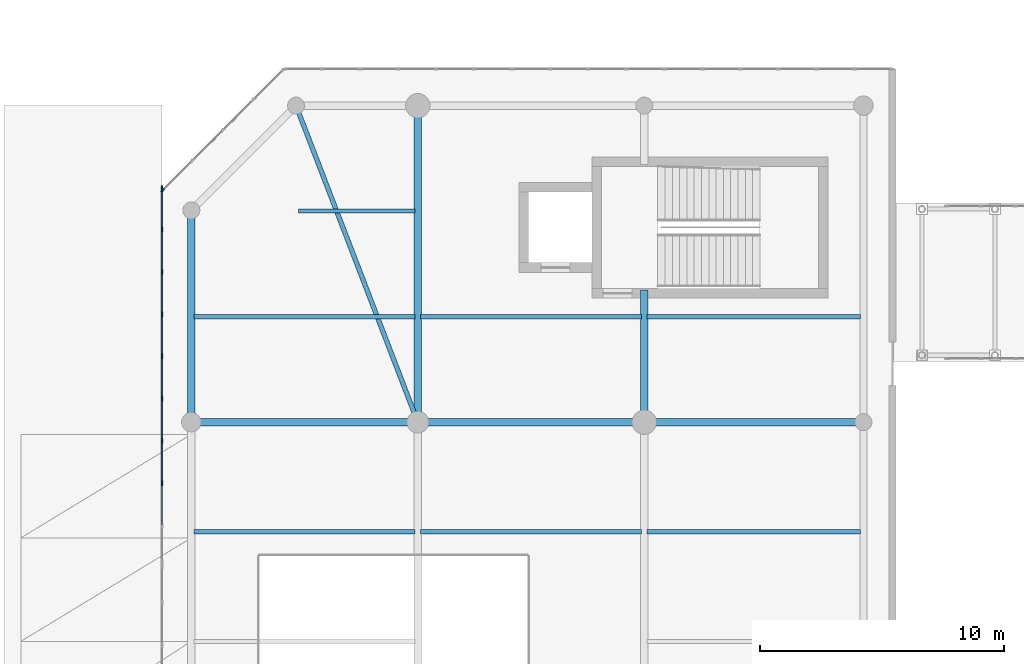
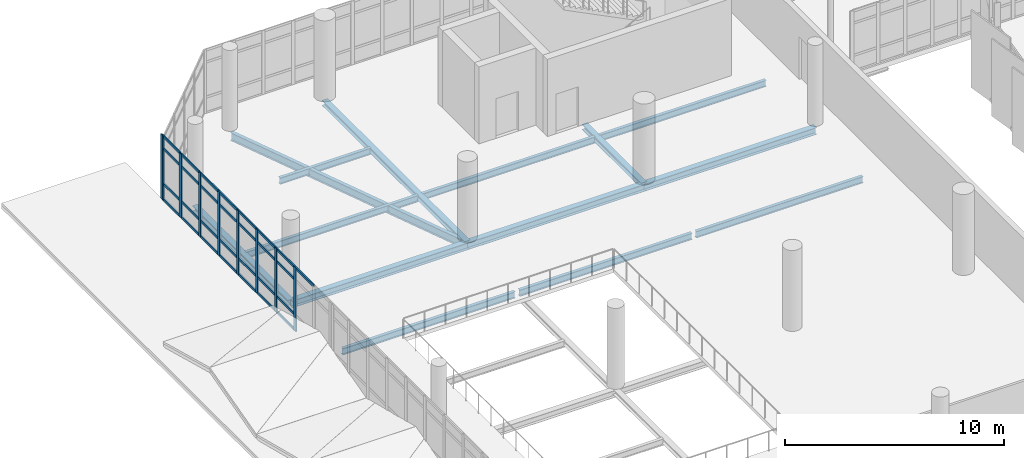
# One storey, part 45 of 134: 38 members, 14 beams, 2 elements without a shape of their own.
"""IFC4 building model written with IfcOpenShell, lengths in metres."""

from ifc_helpers import new_model, si_unit, direction, frame, origin, origin_2d, place, context, subcontext, project, spatial, rectangle, i_section, extrude, material, layer, layer_set, material_profile, profile_set, type_object, element, aggregate, save


model = new_model("IFC4")

# Units and contexts
model_context = context("Model", 3, precision=1e-05, world=origin(), true_north=direction((0.0, 1.0)))
body_context = subcontext(model_context, "Body", "Model", "MODEL_VIEW")
ifc_project = project(units=[si_unit("LENGTHUNIT", "METRE"), si_unit("AREAUNIT", "SQUARE_METRE"), si_unit("VOLUMEUNIT", "CUBIC_METRE"), si_unit("PLANEANGLEUNIT", "RADIAN"), si_unit("MASSUNIT", "GRAM", prefix="KILO")], contexts=[model_context])

# Site, building, storey
site_placement = place(None, origin())
site = spatial("IfcSite", under=ifc_project, at=site_placement, CompositionType="ELEMENT")
building_placement = place(site_placement, origin())
building = spatial("IfcBuilding", under=site, at=building_placement, Name="Sohan Crest Arena", CompositionType="ELEMENT")
storey_placement = place(building_placement, frame((0.0, 0.0, 4.5)))
storey = spatial("IfcBuildingStorey", under=building, at=storey_placement, Name="L01", CompositionType="ELEMENT", Elevation=4.5)

# Curtain wall, member
ifc_material_1 = material(Name="Thermally broken anodised aluminium", Category="aluminium")
ifc_layer_1 = layer(ifc_material_1, 0.199951171875, Name="Thermally broken anodised aluminium")
ifc_layer_set_1 = layer_set([ifc_layer_1], Name="Thermally broken anodised aluminium")
curtain_wall_type_1 = type_object("IfcCurtainWallType", Name="ARC-CW02", PredefinedType="NOTDEFINED", material=ifc_layer_set_1)
curtain_wall_1_placement = place(storey_placement, origin())
curtain_wall_1 = element("IfcCurtainWall", 1, at=curtain_wall_1_placement, inside=storey, type_object=curtain_wall_type_1, Name="Unitised curtain wall CW-208", PredefinedType="NOTDEFINED")
ifc_material_profile_1 = material_profile(ifc_material_1, rectangle(XDim=0.06494140625, YDim=0.179931640625, at=origin_2d()), Name="ALU-MULL 65x180")
ifc_profile_set_1 = profile_set([ifc_material_profile_1], Name="Thermally broken anodised aluminium")
member_type_1 = type_object("IfcMemberType", Name="ARC-CW-ML02", PredefinedType="MULLION", material=ifc_profile_set_1)
member_1_placement = place(storey_placement, frame((14.02294921875, 101.02294921875, 0.0), z_axis=(0.0, 0.0, 1.0), x_axis=(0.707106781187, -0.707106781187, 0.0)))
member_1 = element("IfcMember", 2, at=member_1_placement, type_object=member_type_1, Name="CW-208 mullion 5", PredefinedType="MULLION", context=body_context, shape_type="SweptSolid", body=[
    extrude(rectangle(XDim=0.06494140625, YDim=0.179931640625, at=origin_2d()), origin(), (0.0, 0.0, 1.0), 3.550048828125),
])
aggregate(curtain_wall_1, [member_1])

# Curtain wall, members
ifc_layer_2 = layer(ifc_material_1, 0.219970703125, Name="Thermally broken anodised aluminium")
ifc_layer_set_2 = layer_set([ifc_layer_2], Name="Thermally broken anodised aluminium")
curtain_wall_type_2 = type_object("IfcCurtainWallType", Name="ARC-CW03", PredefinedType="NOTDEFINED", material=ifc_layer_set_2)
curtain_wall_2_placement = place(storey_placement, origin())
curtain_wall_2 = element("IfcCurtainWall", 3, at=curtain_wall_2_placement, inside=storey, type_object=curtain_wall_type_2, Name="Unitised curtain wall CW-209", PredefinedType="NOTDEFINED")
ifc_material_profile_2 = material_profile(ifc_material_1, rectangle(XDim=0.070068359375, YDim=0.199951171875, at=origin_2d()), Name="ALU-MULL 70x200")
ifc_profile_set_2 = profile_set([ifc_material_profile_2], Name="Thermally broken anodised aluminium")
member_type_2 = type_object("IfcMemberType", Name="ARC-CW-ML03", PredefinedType="MULLION", material=ifc_profile_set_2)
member_2_placement = place(storey_placement, frame((14.0, 101.114990234375, 0.0), z_axis=(0.0, 0.0, 1.0), x_axis=(1.0, 0.0, 0.0)))
member_2 = element("IfcMember", 4, at=member_2_placement, type_object=member_type_2, Name="CW-209 mullion 1", PredefinedType="MULLION", context=body_context, shape_type="SweptSolid", body=[
    extrude(rectangle(XDim=0.070068359375, YDim=0.199951171875, at=origin_2d()), origin(), (0.0, 0.0, 1.0), 3.550048828125),
])
member_3_placement = place(storey_placement, frame((14.0, 99.4130859375, 0.0), z_axis=(0.0, 0.0, 1.0), x_axis=(1.0, 0.0, 0.0)))
member_3 = element("IfcMember", 5, at=member_3_placement, type_object=member_type_2, Name="CW-209 mullion 2", PredefinedType="MULLION", context=body_context, shape_type="SweptSolid", body=[
    extrude(rectangle(XDim=0.070068359375, YDim=0.199951171875, at=origin_2d()), origin(), (0.0, 0.0, 1.0), 3.550048828125),
])
member_4_placement = place(storey_placement, frame((14.0, 97.676025390625, 0.0), z_axis=(0.0, 0.0, 1.0), x_axis=(1.0, 0.0, 0.0)))
member_4 = element("IfcMember", 6, at=member_4_placement, type_object=member_type_2, Name="CW-209 mullion 3", PredefinedType="MULLION", context=body_context, shape_type="SweptSolid", body=[
    extrude(rectangle(XDim=0.070068359375, YDim=0.199951171875, at=origin_2d()), origin(), (0.0, 0.0, 1.0), 3.550048828125),
])
member_5_placement = place(storey_placement, frame((14.0, 95.93896484375, 0.0), z_axis=(0.0, 0.0, 1.0), x_axis=(1.0, 0.0, 0.0)))
member_5 = element("IfcMember", 7, at=member_5_placement, type_object=member_type_2, Name="CW-209 mullion 4", PredefinedType="MULLION", context=body_context, shape_type="SweptSolid", body=[
    extrude(rectangle(XDim=0.070068359375, YDim=0.199951171875, at=origin_2d()), origin(), (0.0, 0.0, 1.0), 3.550048828125),
])
member_6_placement = place(storey_placement, frame((14.0, 94.201904296875, 0.0), z_axis=(0.0, 0.0, 1.0), x_axis=(1.0, 0.0, 0.0)))
member_6 = element("IfcMember", 8, at=member_6_placement, type_object=member_type_2, Name="CW-209 mullion 5", PredefinedType="MULLION", context=body_context, shape_type="SweptSolid", body=[
    extrude(rectangle(XDim=0.070068359375, YDim=0.199951171875, at=origin_2d()), origin(), (0.0, 0.0, 1.0), 3.550048828125),
])
member_7_placement = place(storey_placement, frame((14.0, 92.465087890625, 0.0), z_axis=(0.0, 0.0, 1.0), x_axis=(1.0, 0.0, 0.0)))
member_7 = element("IfcMember", 9, at=member_7_placement, type_object=member_type_2, Name="CW-209 mullion 6", PredefinedType="MULLION", context=body_context, shape_type="SweptSolid", body=[
    extrude(rectangle(XDim=0.070068359375, YDim=0.199951171875, at=origin_2d()), origin(), (0.0, 0.0, 1.0), 3.550048828125),
])
member_8_placement = place(storey_placement, frame((14.0, 90.72802734375, 0.0), z_axis=(0.0, 0.0, 1.0), x_axis=(1.0, 0.0, 0.0)))
member_8 = element("IfcMember", 10, at=member_8_placement, type_object=member_type_2, Name="CW-209 mullion 7", PredefinedType="MULLION", context=body_context, shape_type="SweptSolid", body=[
    extrude(rectangle(XDim=0.070068359375, YDim=0.199951171875, at=origin_2d()), origin(), (0.0, 0.0, 1.0), 3.550048828125),
])
member_9_placement = place(storey_placement, frame((14.0, 88.990966796875, 0.0), z_axis=(0.0, 0.0, 1.0), x_axis=(1.0, 0.0, 0.0)))
member_9 = element("IfcMember", 11, at=member_9_placement, type_object=member_type_2, Name="CW-209 mullion 8", PredefinedType="MULLION", context=body_context, shape_type="SweptSolid", body=[
    extrude(rectangle(XDim=0.070068359375, YDim=0.199951171875, at=origin_2d()), origin(), (0.0, 0.0, 1.0), 3.550048828125),
])
ifc_material_profile_3 = material_profile(ifc_material_1, rectangle(XDim=0.06494140625, YDim=0.139892578125, at=origin_2d()), Name="ALU-TRAN 65x140")
ifc_profile_set_3 = profile_set([ifc_material_profile_3], Name="Thermally broken anodised aluminium")
member_type_3 = type_object("IfcMemberType", Name="ARC-CW-TR02", PredefinedType="USERDEFINED", material=ifc_profile_set_3)
member_10_placement = place(storey_placement, frame((14.0, 101.080078125, 0.032470703125), z_axis=(0.0, -1.0, 0.0), x_axis=(1.0, 0.0, 0.0)))
member_10 = element("IfcMember", 12, at=member_10_placement, type_object=member_type_3, Name="CW-209 transom 1.1", ObjectType="TRANSOM", PredefinedType="USERDEFINED", context=body_context, shape_type="SweptSolid", body=[
    extrude(rectangle(XDim=0.06494140625, YDim=0.139892578125, at=origin_2d()), origin(), (0.0, 0.0, 1.0), 1.632080078125),
])
member_11_placement = place(storey_placement, frame((14.0, 101.080078125, 0.89990234375), z_axis=(0.0, -1.0, 0.0), x_axis=(1.0, 0.0, 0.0)))
member_11 = element("IfcMember", 13, at=member_11_placement, type_object=member_type_3, Name="CW-209 transom 1.2", ObjectType="TRANSOM", PredefinedType="USERDEFINED", context=body_context, shape_type="SweptSolid", body=[
    extrude(rectangle(XDim=0.06494140625, YDim=0.139892578125, at=origin_2d()), origin(), (0.0, 0.0, 1.0), 1.632080078125),
])
member_12_placement = place(storey_placement, frame((14.0, 101.080078125, 2.85009765625), z_axis=(0.0, -1.0, 0.0), x_axis=(1.0, 0.0, 0.0)))
member_12 = element("IfcMember", 14, at=member_12_placement, type_object=member_type_3, Name="CW-209 transom 1.3", ObjectType="TRANSOM", PredefinedType="USERDEFINED", context=body_context, shape_type="SweptSolid", body=[
    extrude(rectangle(XDim=0.06494140625, YDim=0.139892578125, at=origin_2d()), origin(), (0.0, 0.0, 1.0), 1.632080078125),
])
member_13_placement = place(storey_placement, frame((14.0, 101.080078125, 3.517578125), z_axis=(0.0, -1.0, 0.0), x_axis=(1.0, 0.0, 0.0)))
member_13 = element("IfcMember", 15, at=member_13_placement, type_object=member_type_3, Name="CW-209 transom 1.4", ObjectType="TRANSOM", PredefinedType="USERDEFINED", context=body_context, shape_type="SweptSolid", body=[
    extrude(rectangle(XDim=0.06494140625, YDim=0.139892578125, at=origin_2d()), origin(), (0.0, 0.0, 1.0), 1.632080078125),
])
member_14_placement = place(storey_placement, frame((14.0, 99.3779296875, 0.032470703125), z_axis=(0.0, -1.0, 0.0), x_axis=(1.0, 0.0, 0.0)))
member_14 = element("IfcMember", 16, at=member_14_placement, type_object=member_type_3, Name="CW-209 transom 2.1", ObjectType="TRANSOM", PredefinedType="USERDEFINED", context=body_context, shape_type="SweptSolid", body=[
    extrude(rectangle(XDim=0.06494140625, YDim=0.139892578125, at=origin_2d()), origin(), (0.0, 0.0, 1.0), 1.6669921875),
])
member_15_placement = place(storey_placement, frame((14.0, 99.3779296875, 0.89990234375), z_axis=(0.0, -1.0, 0.0), x_axis=(1.0, 0.0, 0.0)))
member_15 = element("IfcMember", 17, at=member_15_placement, type_object=member_type_3, Name="CW-209 transom 2.2", ObjectType="TRANSOM", PredefinedType="USERDEFINED", context=body_context, shape_type="SweptSolid", body=[
    extrude(rectangle(XDim=0.06494140625, YDim=0.139892578125, at=origin_2d()), origin(), (0.0, 0.0, 1.0), 1.6669921875),
])
member_16_placement = place(storey_placement, frame((14.0, 99.3779296875, 2.85009765625), z_axis=(0.0, -1.0, 0.0), x_axis=(1.0, 0.0, 0.0)))
member_16 = element("IfcMember", 18, at=member_16_placement, type_object=member_type_3, Name="CW-209 transom 2.3", ObjectType="TRANSOM", PredefinedType="USERDEFINED", context=body_context, shape_type="SweptSolid", body=[
    extrude(rectangle(XDim=0.06494140625, YDim=0.139892578125, at=origin_2d()), origin(), (0.0, 0.0, 1.0), 1.6669921875),
])
member_17_placement = place(storey_placement, frame((14.0, 99.3779296875, 3.517578125), z_axis=(0.0, -1.0, 0.0), x_axis=(1.0, 0.0, 0.0)))
member_17 = element("IfcMember", 19, at=member_17_placement, type_object=member_type_3, Name="CW-209 transom 2.4", ObjectType="TRANSOM", PredefinedType="USERDEFINED", context=body_context, shape_type="SweptSolid", body=[
    extrude(rectangle(XDim=0.06494140625, YDim=0.139892578125, at=origin_2d()), origin(), (0.0, 0.0, 1.0), 1.6669921875),
])
member_18_placement = place(storey_placement, frame((14.0, 97.64111328125, 0.032470703125), z_axis=(0.0, -1.0, 0.0), x_axis=(1.0, 0.0, 0.0)))
member_18 = element("IfcMember", 20, at=member_18_placement, type_object=member_type_3, Name="CW-209 transom 3.1", ObjectType="TRANSOM", PredefinedType="USERDEFINED", context=body_context, shape_type="SweptSolid", body=[
    extrude(rectangle(XDim=0.06494140625, YDim=0.139892578125, at=origin_2d()), origin(), (0.0, 0.0, 1.0), 1.6669921875),
])
member_19_placement = place(storey_placement, frame((14.0, 97.64111328125, 0.89990234375), z_axis=(0.0, -1.0, 0.0), x_axis=(1.0, 0.0, 0.0)))
member_19 = element("IfcMember", 21, at=member_19_placement, type_object=member_type_3, Name="CW-209 transom 3.2", ObjectType="TRANSOM", PredefinedType="USERDEFINED", context=body_context, shape_type="SweptSolid", body=[
    extrude(rectangle(XDim=0.06494140625, YDim=0.139892578125, at=origin_2d()), origin(), (0.0, 0.0, 1.0), 1.6669921875),
])
member_20_placement = place(storey_placement, frame((14.0, 97.64111328125, 2.85009765625), z_axis=(0.0, -1.0, 0.0), x_axis=(1.0, 0.0, 0.0)))
member_20 = element("IfcMember", 22, at=member_20_placement, type_object=member_type_3, Name="CW-209 transom 3.3", ObjectType="TRANSOM", PredefinedType="USERDEFINED", context=body_context, shape_type="SweptSolid", body=[
    extrude(rectangle(XDim=0.06494140625, YDim=0.139892578125, at=origin_2d()), origin(), (0.0, 0.0, 1.0), 1.6669921875),
])
member_21_placement = place(storey_placement, frame((14.0, 97.64111328125, 3.517578125), z_axis=(0.0, -1.0, 0.0), x_axis=(1.0, 0.0, 0.0)))
member_21 = element("IfcMember", 23, at=member_21_placement, type_object=member_type_3, Name="CW-209 transom 3.4", ObjectType="TRANSOM", PredefinedType="USERDEFINED", context=body_context, shape_type="SweptSolid", body=[
    extrude(rectangle(XDim=0.06494140625, YDim=0.139892578125, at=origin_2d()), origin(), (0.0, 0.0, 1.0), 1.6669921875),
])
member_22_placement = place(storey_placement, frame((14.0, 95.904052734375, 0.032470703125), z_axis=(0.0, -1.0, 0.0), x_axis=(1.0, 0.0, 0.0)))
member_22 = element("IfcMember", 24, at=member_22_placement, type_object=member_type_3, Name="CW-209 transom 4.1", ObjectType="TRANSOM", PredefinedType="USERDEFINED", context=body_context, shape_type="SweptSolid", body=[
    extrude(rectangle(XDim=0.06494140625, YDim=0.139892578125, at=origin_2d()), origin(), (0.0, 0.0, 1.0), 1.6669921875),
])
member_23_placement = place(storey_placement, frame((14.0, 95.904052734375, 0.89990234375), z_axis=(0.0, -1.0, 0.0), x_axis=(1.0, 0.0, 0.0)))
member_23 = element("IfcMember", 25, at=member_23_placement, type_object=member_type_3, Name="CW-209 transom 4.2", ObjectType="TRANSOM", PredefinedType="USERDEFINED", context=body_context, shape_type="SweptSolid", body=[
    extrude(rectangle(XDim=0.06494140625, YDim=0.139892578125, at=origin_2d()), origin(), (0.0, 0.0, 1.0), 1.6669921875),
])
member_24_placement = place(storey_placement, frame((14.0, 95.904052734375, 2.85009765625), z_axis=(0.0, -1.0, 0.0), x_axis=(1.0, 0.0, 0.0)))
member_24 = element("IfcMember", 26, at=member_24_placement, type_object=member_type_3, Name="CW-209 transom 4.3", ObjectType="TRANSOM", PredefinedType="USERDEFINED", context=body_context, shape_type="SweptSolid", body=[
    extrude(rectangle(XDim=0.06494140625, YDim=0.139892578125, at=origin_2d()), origin(), (0.0, 0.0, 1.0), 1.6669921875),
])
member_25_placement = place(storey_placement, frame((14.0, 95.904052734375, 3.517578125), z_axis=(0.0, -1.0, 0.0), x_axis=(1.0, 0.0, 0.0)))
member_25 = element("IfcMember", 27, at=member_25_placement, type_object=member_type_3, Name="CW-209 transom 4.4", ObjectType="TRANSOM", PredefinedType="USERDEFINED", context=body_context, shape_type="SweptSolid", body=[
    extrude(rectangle(XDim=0.06494140625, YDim=0.139892578125, at=origin_2d()), origin(), (0.0, 0.0, 1.0), 1.6669921875),
])
member_26_placement = place(storey_placement, frame((14.0, 94.1669921875, 0.032470703125), z_axis=(0.0, -1.0, 0.0), x_axis=(1.0, 0.0, 0.0)))
member_26 = element("IfcMember", 28, at=member_26_placement, type_object=member_type_3, Name="CW-209 transom 5.1", ObjectType="TRANSOM", PredefinedType="USERDEFINED", context=body_context, shape_type="SweptSolid", body=[
    extrude(rectangle(XDim=0.06494140625, YDim=0.139892578125, at=origin_2d()), origin(), (0.0, 0.0, 1.0), 1.6669921875),
])
member_27_placement = place(storey_placement, frame((14.0, 94.1669921875, 0.89990234375), z_axis=(0.0, -1.0, 0.0), x_axis=(1.0, 0.0, 0.0)))
member_27 = element("IfcMember", 29, at=member_27_placement, type_object=member_type_3, Name="CW-209 transom 5.2", ObjectType="TRANSOM", PredefinedType="USERDEFINED", context=body_context, shape_type="SweptSolid", body=[
    extrude(rectangle(XDim=0.06494140625, YDim=0.139892578125, at=origin_2d()), origin(), (0.0, 0.0, 1.0), 1.6669921875),
])
member_28_placement = place(storey_placement, frame((14.0, 94.1669921875, 2.85009765625), z_axis=(0.0, -1.0, 0.0), x_axis=(1.0, 0.0, 0.0)))
member_28 = element("IfcMember", 30, at=member_28_placement, type_object=member_type_3, Name="CW-209 transom 5.3", ObjectType="TRANSOM", PredefinedType="USERDEFINED", context=body_context, shape_type="SweptSolid", body=[
    extrude(rectangle(XDim=0.06494140625, YDim=0.139892578125, at=origin_2d()), origin(), (0.0, 0.0, 1.0), 1.6669921875),
])
member_29_placement = place(storey_placement, frame((14.0, 94.1669921875, 3.517578125), z_axis=(0.0, -1.0, 0.0), x_axis=(1.0, 0.0, 0.0)))
member_29 = element("IfcMember", 31, at=member_29_placement, type_object=member_type_3, Name="CW-209 transom 5.4", ObjectType="TRANSOM", PredefinedType="USERDEFINED", context=body_context, shape_type="SweptSolid", body=[
    extrude(rectangle(XDim=0.06494140625, YDim=0.139892578125, at=origin_2d()), origin(), (0.0, 0.0, 1.0), 1.6669921875),
])
member_30_placement = place(storey_placement, frame((14.0, 92.429931640625, 0.032470703125), z_axis=(0.0, -1.0, 0.0), x_axis=(1.0, 0.0, 0.0)))
member_30 = element("IfcMember", 32, at=member_30_placement, type_object=member_type_3, Name="CW-209 transom 6.1", ObjectType="TRANSOM", PredefinedType="USERDEFINED", context=body_context, shape_type="SweptSolid", body=[
    extrude(rectangle(XDim=0.06494140625, YDim=0.139892578125, at=origin_2d()), origin(), (0.0, 0.0, 1.0), 1.6669921875),
])
member_31_placement = place(storey_placement, frame((14.0, 92.429931640625, 0.89990234375), z_axis=(0.0, -1.0, 0.0), x_axis=(1.0, 0.0, 0.0)))
member_31 = element("IfcMember", 33, at=member_31_placement, type_object=member_type_3, Name="CW-209 transom 6.2", ObjectType="TRANSOM", PredefinedType="USERDEFINED", context=body_context, shape_type="SweptSolid", body=[
    extrude(rectangle(XDim=0.06494140625, YDim=0.139892578125, at=origin_2d()), origin(), (0.0, 0.0, 1.0), 1.6669921875),
])
member_32_placement = place(storey_placement, frame((14.0, 92.429931640625, 2.85009765625), z_axis=(0.0, -1.0, 0.0), x_axis=(1.0, 0.0, 0.0)))
member_32 = element("IfcMember", 34, at=member_32_placement, type_object=member_type_3, Name="CW-209 transom 6.3", ObjectType="TRANSOM", PredefinedType="USERDEFINED", context=body_context, shape_type="SweptSolid", body=[
    extrude(rectangle(XDim=0.06494140625, YDim=0.139892578125, at=origin_2d()), origin(), (0.0, 0.0, 1.0), 1.6669921875),
])
member_33_placement = place(storey_placement, frame((14.0, 92.429931640625, 3.517578125), z_axis=(0.0, -1.0, 0.0), x_axis=(1.0, 0.0, 0.0)))
member_33 = element("IfcMember", 35, at=member_33_placement, type_object=member_type_3, Name="CW-209 transom 6.4", ObjectType="TRANSOM", PredefinedType="USERDEFINED", context=body_context, shape_type="SweptSolid", body=[
    extrude(rectangle(XDim=0.06494140625, YDim=0.139892578125, at=origin_2d()), origin(), (0.0, 0.0, 1.0), 1.6669921875),
])
member_34_placement = place(storey_placement, frame((14.0, 90.693115234375, 0.032470703125), z_axis=(0.0, -1.0, 0.0), x_axis=(1.0, 0.0, 0.0)))
member_34 = element("IfcMember", 36, at=member_34_placement, type_object=member_type_3, Name="CW-209 transom 7.1", ObjectType="TRANSOM", PredefinedType="USERDEFINED", context=body_context, shape_type="SweptSolid", body=[
    extrude(rectangle(XDim=0.06494140625, YDim=0.139892578125, at=origin_2d()), origin(), (0.0, 0.0, 1.0), 1.667236328125),
])
member_35_placement = place(storey_placement, frame((14.0, 90.693115234375, 0.89990234375), z_axis=(0.0, -1.0, 0.0), x_axis=(1.0, 0.0, 0.0)))
member_35 = element("IfcMember", 37, at=member_35_placement, type_object=member_type_3, Name="CW-209 transom 7.2", ObjectType="TRANSOM", PredefinedType="USERDEFINED", context=body_context, shape_type="SweptSolid", body=[
    extrude(rectangle(XDim=0.06494140625, YDim=0.139892578125, at=origin_2d()), origin(), (0.0, 0.0, 1.0), 1.667236328125),
])
member_36_placement = place(storey_placement, frame((14.0, 90.693115234375, 2.85009765625), z_axis=(0.0, -1.0, 0.0), x_axis=(1.0, 0.0, 0.0)))
member_36 = element("IfcMember", 38, at=member_36_placement, type_object=member_type_3, Name="CW-209 transom 7.3", ObjectType="TRANSOM", PredefinedType="USERDEFINED", context=body_context, shape_type="SweptSolid", body=[
    extrude(rectangle(XDim=0.06494140625, YDim=0.139892578125, at=origin_2d()), origin(), (0.0, 0.0, 1.0), 1.667236328125),
])
member_37_placement = place(storey_placement, frame((14.0, 90.693115234375, 3.517578125), z_axis=(0.0, -1.0, 0.0), x_axis=(1.0, 0.0, 0.0)))
member_37 = element("IfcMember", 39, at=member_37_placement, type_object=member_type_3, Name="CW-209 transom 7.4", ObjectType="TRANSOM", PredefinedType="USERDEFINED", context=body_context, shape_type="SweptSolid", body=[
    extrude(rectangle(XDim=0.06494140625, YDim=0.139892578125, at=origin_2d()), origin(), (0.0, 0.0, 1.0), 1.667236328125),
])
member_38_placement = place(storey_placement, frame((14.0, 88.9560546875, 3.517578125), z_axis=(0.0, -1.0, 0.0), x_axis=(1.0, 0.0, 0.0)))
member_38 = element("IfcMember", 40, at=member_38_placement, type_object=member_type_3, Name="CW-209 transom 8.4", ObjectType="TRANSOM", PredefinedType="USERDEFINED", context=body_context, shape_type="SweptSolid", body=[
    extrude(rectangle(XDim=0.06494140625, YDim=0.139892578125, at=origin_2d()), origin(), (0.0, 0.0, 1.0), 1.6669921875),
])
aggregate(curtain_wall_2, [member_2, member_3, member_4, member_5, member_6, member_7, member_8, member_9, member_10, member_11, member_12, member_13, member_14, member_15, member_16, member_17, member_18, member_19, member_20, member_21, member_22, member_23, member_24, member_25, member_26, member_27, member_28, member_29, member_30, member_31, member_32, member_33, member_34, member_35, member_36, member_37, member_38])

# Beams
ifc_material_2 = material(Name="Steel S355", Category="steel")
ifc_material_profile_4 = material_profile(ifc_material_2, i_section(OverallWidth=0.169921875, OverallDepth=0.360107421875, WebThickness=0.008056640625, FlangeThickness=0.0126953125, at=origin_2d()), Name="IPE 360")
ifc_profile_set_4 = profile_set([ifc_material_profile_4], Name="Steel S355")
beam_type_1 = type_object("IfcBeamType", Name="STR-BM-B02", PredefinedType="JOIST", material=ifc_profile_set_4)
for number, where, z_axis, x_axis, name in (
    (41, (15.31005859375, 87.0, -0.389892578125), (1.0, 0.0, 0.0), (0.0, 1.0, 0.0), "Structural beam J-L01-2014"),
    (42, (24.610107421875, 87.0, -0.389892578125), (1.0, 0.0, 0.0), (0.0, 1.0, 0.0), "Structural beam J-L01-2016"),
):
    element("IfcBeam", number, at=place(storey_placement, frame(where, z_axis=z_axis, x_axis=x_axis)), inside=storey, type_object=beam_type_1, Name=name, PredefinedType="JOIST", context=body_context, shape_type="SweptSolid", body=[
        extrude(i_section(OverallWidth=0.169921875, OverallDepth=0.360107421875, WebThickness=0.008056640625, FlangeThickness=0.0126953125, at=origin_2d()), origin(), (0.0, 0.0, 1.0), 9.079833984375),
    ])
beam_1_placement = place(storey_placement, frame((33.909912109375, 87.0, -0.389892578125), z_axis=(1.0, 0.0, 0.0), x_axis=(0.0, 1.0, 0.0)))
element("IfcBeam", 43, at=beam_1_placement, inside=storey, type_object=beam_type_1, Name="Structural beam J-L01-2019", PredefinedType="JOIST", context=body_context, shape_type="SweptSolid", body=[
    extrude(i_section(OverallWidth=0.169921875, OverallDepth=0.360107421875, WebThickness=0.008056640625, FlangeThickness=0.0126953125, at=origin_2d()), origin(), (0.0, 0.0, 1.0), 8.780029296875),
])
beam_2_placement = place(storey_placement, frame((15.31005859375, 95.8330078125, -0.389892578125), z_axis=(1.0, 0.0, 0.0), x_axis=(0.0, 1.0, 0.0)))
element("IfcBeam", 44, at=beam_2_placement, inside=storey, type_object=beam_type_1, Name="Structural beam J-L01-2021", PredefinedType="JOIST", context=body_context, shape_type="SweptSolid", body=[
    extrude(i_section(OverallWidth=0.169921875, OverallDepth=0.360107421875, WebThickness=0.008056640625, FlangeThickness=0.0126953125, at=origin_2d()), origin(), (0.0, 0.0, 1.0), 9.079833984375),
])
beam_3_placement = place(storey_placement, frame((19.610107421875, 100.1669921875, -0.389892578125), z_axis=(1.0, 0.0, 0.0), x_axis=(0.0, 1.0, 0.0)))
element("IfcBeam", 45, at=beam_3_placement, inside=storey, type_object=beam_type_1, Name="Structural beam J-L01-2022", PredefinedType="JOIST", context=body_context, shape_type="SweptSolid", body=[
    extrude(i_section(OverallWidth=0.169921875, OverallDepth=0.360107421875, WebThickness=0.008056640625, FlangeThickness=0.0126953125, at=origin_2d()), origin(), (0.0, 0.0, 1.0), 4.77978515625),
])
beam_4_placement = place(storey_placement, frame((24.610107421875, 95.8330078125, -0.389892578125), z_axis=(1.0, 0.0, 0.0), x_axis=(0.0, 1.0, 0.0)))
element("IfcBeam", 46, at=beam_4_placement, inside=storey, type_object=beam_type_1, Name="Structural beam J-L01-2024", PredefinedType="JOIST", context=body_context, shape_type="SweptSolid", body=[
    extrude(i_section(OverallWidth=0.169921875, OverallDepth=0.360107421875, WebThickness=0.008056640625, FlangeThickness=0.0126953125, at=origin_2d()), origin(), (0.0, 0.0, 1.0), 9.079833984375),
])
beam_5_placement = place(storey_placement, frame((33.909912109375, 95.8330078125, -0.389892578125), z_axis=(1.0, 0.0, 0.0), x_axis=(0.0, 1.0, 0.0)))
element("IfcBeam", 47, at=beam_5_placement, inside=storey, type_object=beam_type_1, Name="Structural beam J-L01-2026", PredefinedType="JOIST", context=body_context, shape_type="SweptSolid", body=[
    extrude(i_section(OverallWidth=0.169921875, OverallDepth=0.360107421875, WebThickness=0.008056640625, FlangeThickness=0.0126953125, at=origin_2d()), origin(), (0.0, 0.0, 1.0), 8.780029296875),
])
ifc_material_profile_5 = material_profile(ifc_material_2, i_section(OverallWidth=0.18994140625, OverallDepth=0.449951171875, WebThickness=0.009521484375, FlangeThickness=0.0146484375, at=origin_2d()), Name="IPE 450")
ifc_profile_set_5 = profile_set([ifc_material_profile_5], Name="Steel S355")
beam_type_2 = type_object("IfcBeamType", Name="STR-BM-B04", PredefinedType="JOIST", material=ifc_profile_set_5)
beam_6_placement = place(storey_placement, frame((19.5390625, 104.39697265625, -0.43505859375), z_axis=(0.359050685685, -0.933318062136, 0.0), x_axis=(0.933318062136, 0.359050685685, 0.0)))
element("IfcBeam", 48, at=beam_6_placement, inside=storey, type_object=beam_type_2, Name="Structural beam J-L01-2033", PredefinedType="JOIST", context=body_context, shape_type="SweptSolid", body=[
    extrude(i_section(OverallWidth=0.18994140625, OverallDepth=0.449951171875, WebThickness=0.009521484375, FlangeThickness=0.0146484375, at=origin_2d()), origin(), (0.0, 0.0, 1.0), 13.7080078125),
])
ifc_material_profile_6 = material_profile(ifc_material_2, i_section(OverallWidth=0.300048828125, OverallDepth=0.2900390625, WebThickness=0.008544921875, FlangeThickness=0.013916015625, at=origin_2d()), Name="HEA 300")
ifc_profile_set_6 = profile_set([ifc_material_profile_6], Name="Steel S355")
beam_type_3 = type_object("IfcBeamType", Name="STR-BM-B08", PredefinedType="BEAM", material=ifc_profile_set_6)
beam_7_placement = place(storey_placement, frame((15.199951171875, 91.5, -0.35498046875), z_axis=(0.0, 1.0, 0.0), x_axis=(-1.0, 0.0, 0.0)))
element("IfcBeam", 49, at=beam_7_placement, inside=storey, type_object=beam_type_3, Name="Structural beam G-L01-1982", PredefinedType="BEAM", context=body_context, shape_type="SweptSolid", body=[
    extrude(i_section(OverallWidth=0.300048828125, OverallDepth=0.2900390625, WebThickness=0.008544921875, FlangeThickness=0.013916015625, at=origin_2d()), origin(), (0.0, 0.0, 1.0), 8.699951171875),
])
beam_8_placement = place(storey_placement, frame((24.5, 91.5, -0.35498046875), z_axis=(0.0, 1.0, 0.0), x_axis=(-1.0, 0.0, 0.0)))
element("IfcBeam", 50, at=beam_8_placement, inside=storey, type_object=beam_type_3, Name="Structural beam G-L01-1986", PredefinedType="BEAM", context=body_context, shape_type="SweptSolid", body=[
    extrude(i_section(OverallWidth=0.300048828125, OverallDepth=0.2900390625, WebThickness=0.008544921875, FlangeThickness=0.013916015625, at=origin_2d()), origin(), (0.0, 0.0, 1.0), 13.0),
])
beam_9_placement = place(storey_placement, frame((33.800048828125, 91.5, -0.35498046875), z_axis=(0.0, 1.0, 0.0), x_axis=(-1.0, 0.0, 0.0)))
element("IfcBeam", 51, at=beam_9_placement, inside=storey, type_object=beam_type_3, Name="Structural beam G-L01-1991", PredefinedType="BEAM", context=body_context, shape_type="SweptSolid", body=[
    extrude(i_section(OverallWidth=0.300048828125, OverallDepth=0.2900390625, WebThickness=0.008544921875, FlangeThickness=0.013916015625, at=origin_2d()), origin(), (0.0, 0.0, 1.0), 5.419921875),
])
ifc_material_profile_7 = material_profile(ifc_material_2, i_section(OverallWidth=0.300048828125, OverallDepth=0.389892578125, WebThickness=0.010986328125, FlangeThickness=0.01904296875, at=origin_2d()), Name="HEA 400")
ifc_profile_set_7 = profile_set([ifc_material_profile_7], Name="Steel S355")
beam_type_4 = type_object("IfcBeamType", Name="STR-BM-B09", PredefinedType="BEAM", material=ifc_profile_set_7)
for number, where, z_axis, x_axis, name in (
    (52, (15.199951171875, 91.5, -0.405029296875), (1.0, 0.0, 0.0), (0.0, 1.0, 0.0), "Structural beam G-L01-2020"),
    (53, (24.5, 91.5, -0.405029296875), (1.0, 0.0, 0.0), (0.0, 1.0, 0.0), "Structural beam G-L01-2023"),
):
    element("IfcBeam", number, at=place(storey_placement, frame(where, z_axis=z_axis, x_axis=x_axis)), inside=storey, type_object=beam_type_4, Name=name, PredefinedType="BEAM", context=body_context, shape_type="SweptSolid", body=[
        extrude(i_section(OverallWidth=0.300048828125, OverallDepth=0.389892578125, WebThickness=0.010986328125, FlangeThickness=0.01904296875, at=origin_2d()), origin(), (0.0, 0.0, 1.0), 9.300048828125),
    ])
beam_10_placement = place(storey_placement, frame((33.800048828125, 91.5, -0.405029296875), z_axis=(1.0, 0.0, 0.0), x_axis=(0.0, 1.0, 0.0)))
element("IfcBeam", 54, at=beam_10_placement, inside=storey, type_object=beam_type_4, Name="Structural beam G-L01-2025", PredefinedType="BEAM", context=body_context, shape_type="SweptSolid", body=[
    extrude(i_section(OverallWidth=0.300048828125, OverallDepth=0.389892578125, WebThickness=0.010986328125, FlangeThickness=0.01904296875, at=origin_2d()), origin(), (0.0, 0.0, 1.0), 9.0),
])

save(model, "model.ifc")
